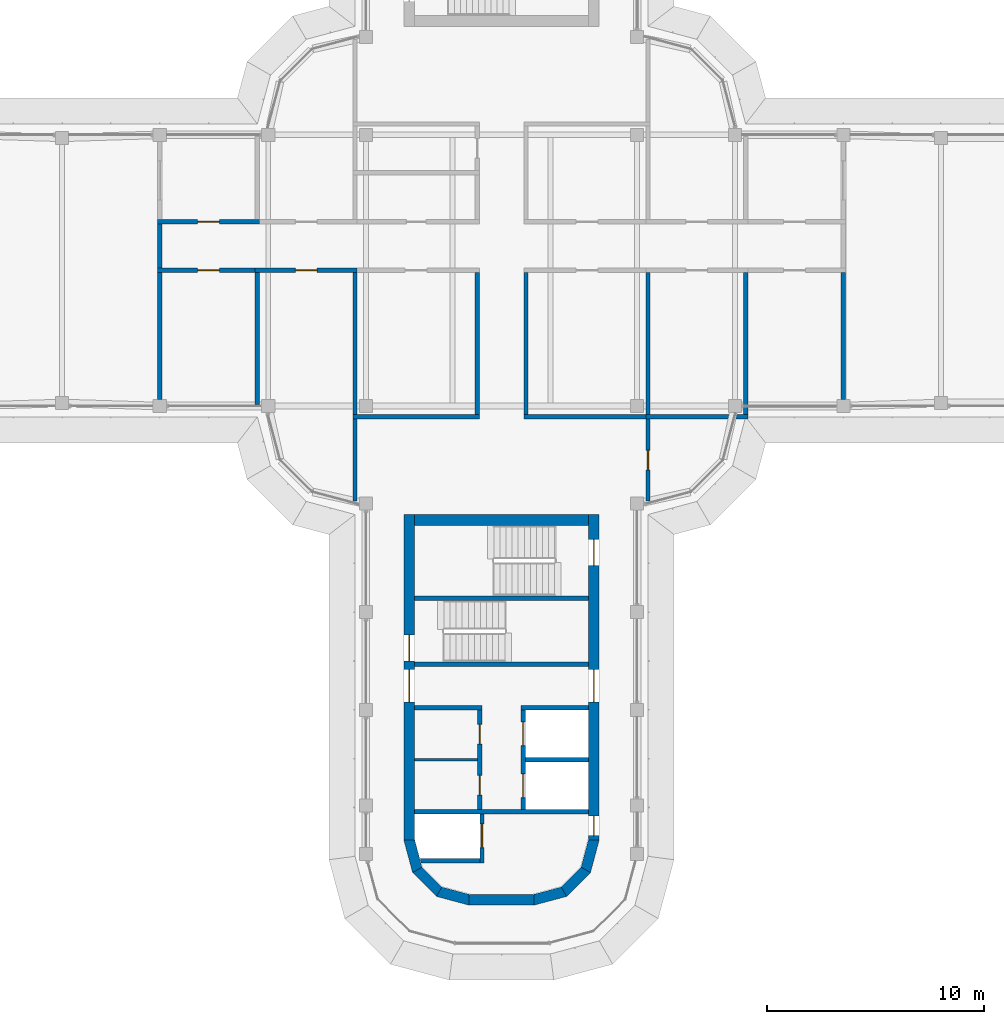
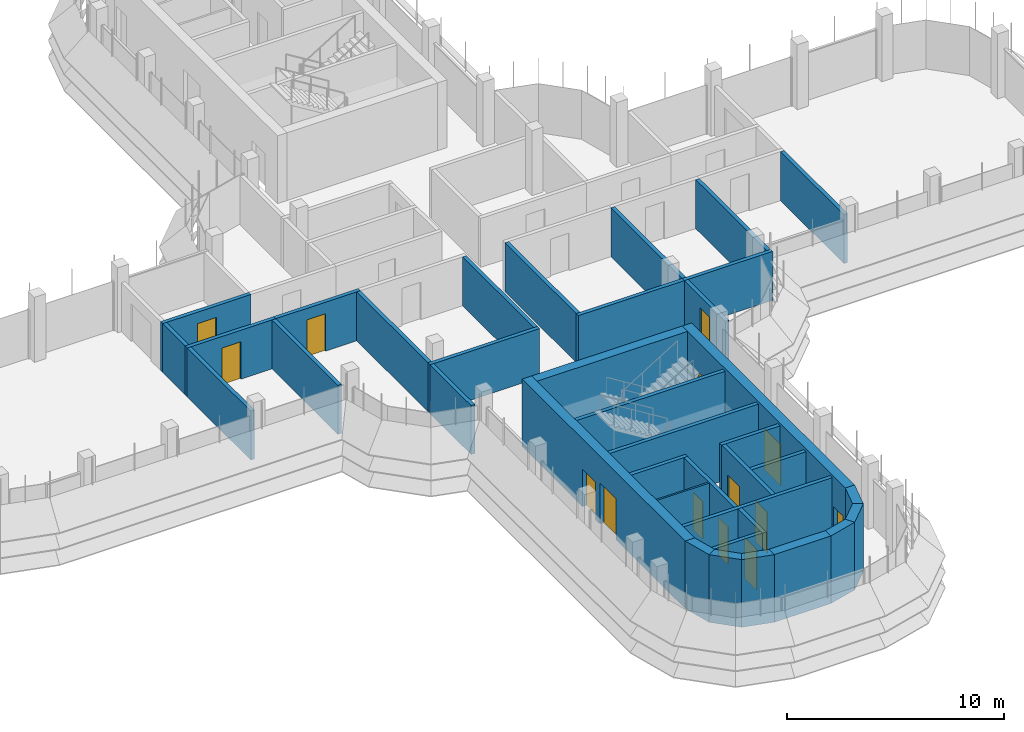
# One storey, part 13 of 19: 38 walls, 14 doors, 14 openings.
"""IFC4 building model written with IfcOpenShell, lengths in metres."""

from ifc_helpers import new_model, si_unit, direction, frame, frame_2d, origin, place, context, subcontext, project, spatial, polyline, rectangle, outline, extrude, material, layer, layer_set, type_object, element, fill, save


model = new_model("IFC4")

# Units and contexts
model_context = context("Model", 3, precision=1e-05, world=origin(), true_north=direction((0.0, 1.0)))
body_context = subcontext(model_context, "Body", "Model", "MODEL_VIEW")
ifc_project = project(units=[si_unit("LENGTHUNIT", "METRE"), si_unit("AREAUNIT", "SQUARE_METRE"), si_unit("VOLUMEUNIT", "CUBIC_METRE"), si_unit("PLANEANGLEUNIT", "RADIAN"), si_unit("MASSUNIT", "GRAM", prefix="KILO")], contexts=[model_context])

# Site, building, storey
site_placement = place(None, origin())
site = spatial("IfcSite", under=ifc_project, at=site_placement, CompositionType="ELEMENT")
building_placement = place(site_placement, origin())
building = spatial("IfcBuilding", under=site, at=building_placement, Name="Zarbagh Exchange Tower", CompositionType="ELEMENT")
storey_placement = place(building_placement, frame((0.0, 0.0, 261.199951171875)))
storey = spatial("IfcBuildingStorey", under=building, at=storey_placement, Name="L64", CompositionType="ELEMENT", Elevation=261.199951171875)

# Wall
ifc_material_1 = material(Name="Dense blockwork", Category="masonry")
ifc_layer_1 = layer(ifc_material_1, 0.10009765625)
ifc_layer_set_1 = layer_set([ifc_layer_1], Name="Core partition 100 mm blockwork")
wall_type_1 = type_object("IfcWallType", Name="Core partition 100 mm blockwork", PredefinedType="PARTITIONING", material=ifc_layer_set_1)
wall_1_placement = place(storey_placement, frame((-1.10009765625, -22.550048828125, 0.0), z_axis=(0.0, 0.0, 1.0), x_axis=(-1.0, 0.0, 0.0)))
element("IfcWall", 1, at=wall_1_placement, inside=storey, type_object=wall_type_1, Name="South core partition wall CUT-E-580", PredefinedType="PARTITIONING", context=body_context, shape_type="SweptSolid", body=[
    extrude(rectangle(XDim=2.89990234375, YDim=0.10009765625, at=frame_2d((1.449951171875, 0.0))), origin(), (0.0, 0.0, 1.0), 3.650146484375),
])

# Wall, opening, door
ifc_material_2 = material(Name="Fire-rated plasterboard partition")
ifc_layer_2 = layer(ifc_material_2, 0.199951171875)
ifc_layer_set_2 = layer_set([ifc_layer_2], Name="RATED PARTITION 200")
wall_type_2 = type_object("IfcWallType", Name="RATED PARTITION 200", PredefinedType="PARTITIONING", material=ifc_layer_set_2)
wall_2_placement = place(storey_placement, frame((-6.64990234375, 0.0, 0.0), z_axis=(0.0, 0.0, 1.0), x_axis=(-1.0, 0.0, 0.0)))
wall_2 = element("IfcWall", 2, at=wall_2_placement, inside=storey, type_object=wall_type_2, Name="Partition W-2708", PredefinedType="PARTITIONING", context=body_context, shape_type="SweptSolid", body=[
    extrude(rectangle(XDim=4.7001953125, YDim=0.199951171875, at=frame_2d((2.35009765625, 0.0))), origin(), (0.0, 0.0, 1.0), 2.75),
])
opening_1_placement = place(wall_2_placement, frame((1.85009765625, 0.0, 0.0)))
opening_1 = element("IfcOpeningElement", 3, at=opening_1_placement, cuts=wall_2, Name="Opening D-2713", PredefinedType="OPENING", context=body_context, shape_type="SweptSolid", body=[
    extrude(rectangle(XDim=1.0, YDim=2.10009765625, at=frame_2d((0.5, 1.050048828125))), frame((0.0, 0.10986328125, 0.0), z_axis=(0.0, -1.0, 0.0), x_axis=(1.0, 0.0, 0.0)), (0.0, 0.0, 1.0), 0.219970703125),
])
ifc_material_3 = material(Name="Steel door set", Category="steel")
door_type_1 = type_object("IfcDoorType", Name="FIRE DOOR 1000 X 2100 FD30S", OperationType="NOTDEFINED", PredefinedType="DOOR", material=ifc_material_3)
door_1_placement = place(opening_1_placement, origin())
door_1 = element("IfcDoor", 4, at=door_1_placement, inside=storey, type_object=door_type_1, Name="Door D-2713", OperationType="SINGLE_SWING_RIGHT", OverallHeight=2.10009765625, OverallWidth=1.0, PredefinedType="DOOR", context=body_context, shape_type="SweptSolid", body=[
    extrude(rectangle(XDim=1.0, YDim=2.10009765625, at=frame_2d((0.5, 1.050048828125))), frame((0.0, 0.02490234375, 0.0), z_axis=(0.0, -1.0, 0.0), x_axis=(1.0, 0.0, 0.0)), (0.0, 0.0, 1.0), 0.050048828125),
])
fill(opening_1, door_1)

wall_3_placement = place(storey_placement, frame((-15.85009765625, 2.25, 0.0), z_axis=(0.0, 0.0, 1.0), x_axis=(1.0, 0.0, 0.0)))
wall_3 = element("IfcWall", 5, at=wall_3_placement, inside=storey, type_object=wall_type_2, Name="Partition W-2712", PredefinedType="PARTITIONING", context=body_context, shape_type="SweptSolid", body=[
    extrude(rectangle(XDim=4.7001953125, YDim=0.199951171875, at=frame_2d((2.35009765625, 0.0))), origin(), (0.0, 0.0, 1.0), 2.75),
])
opening_2_placement = place(wall_3_placement, frame((1.85009765625, 0.0, 0.0)))
opening_2 = element("IfcOpeningElement", 6, at=opening_2_placement, cuts=wall_3, Name="Opening D-2715", PredefinedType="OPENING", context=body_context, shape_type="SweptSolid", body=[
    extrude(rectangle(XDim=1.0, YDim=2.10009765625, at=frame_2d((0.5, 1.050048828125))), frame((0.0, 0.10986328125, 0.0), z_axis=(0.0, -1.0, 0.0), x_axis=(1.0, 0.0, 0.0)), (0.0, 0.0, 1.0), 0.219970703125),
])
door_2_placement = place(opening_2_placement, origin())
door_2 = element("IfcDoor", 7, at=door_2_placement, inside=storey, type_object=door_type_1, Name="Door D-2715", OperationType="SINGLE_SWING_RIGHT", OverallHeight=2.10009765625, OverallWidth=1.0, PredefinedType="DOOR", context=body_context, shape_type="SweptSolid", body=[
    extrude(rectangle(XDim=1.0, YDim=2.10009765625, at=frame_2d((0.5, 1.050048828125))), frame((0.0, 0.02490234375, 0.0), z_axis=(0.0, -1.0, 0.0), x_axis=(1.0, 0.0, 0.0)), (0.0, 0.0, 1.0), 0.050048828125),
])
fill(opening_2, door_2)

wall_4_placement = place(storey_placement, frame((-11.14990234375, 0.0, 0.0), z_axis=(0.0, 0.0, 1.0), x_axis=(-1.0, 0.0, 0.0)))
wall_4 = element("IfcWall", 8, at=wall_4_placement, inside=storey, type_object=wall_type_2, Name="Partition W-2713", PredefinedType="PARTITIONING", context=body_context, shape_type="SweptSolid", body=[
    extrude(rectangle(XDim=4.7001953125, YDim=0.199951171875, at=frame_2d((2.35009765625, 0.0))), origin(), (0.0, 0.0, 1.0), 2.75),
])
opening_3_placement = place(wall_4_placement, frame((1.85009765625, 0.0, 0.0)))
opening_3 = element("IfcOpeningElement", 9, at=opening_3_placement, cuts=wall_4, Name="Opening D-2716", PredefinedType="OPENING", context=body_context, shape_type="SweptSolid", body=[
    extrude(rectangle(XDim=1.0, YDim=2.10009765625, at=frame_2d((0.5, 1.050048828125))), frame((0.0, 0.10986328125, 0.0), z_axis=(0.0, -1.0, 0.0), x_axis=(1.0, 0.0, 0.0)), (0.0, 0.0, 1.0), 0.219970703125),
])
door_3_placement = place(opening_3_placement, origin())
door_3 = element("IfcDoor", 10, at=door_3_placement, inside=storey, type_object=door_type_1, Name="Door D-2716", OperationType="SINGLE_SWING_RIGHT", OverallHeight=2.10009765625, OverallWidth=1.0, PredefinedType="DOOR", context=body_context, shape_type="SweptSolid", body=[
    extrude(rectangle(XDim=1.0, YDim=2.10009765625, at=frame_2d((0.5, 1.050048828125))), frame((0.0, 0.02490234375, 0.0), z_axis=(0.0, -1.0, 0.0), x_axis=(1.0, 0.0, 0.0)), (0.0, 0.0, 1.0), 0.050048828125),
])
fill(opening_3, door_3)

# Walls
wall_5_placement = place(storey_placement, frame((-15.75, 0.10009765625, 0.0), z_axis=(0.0, 0.0, 1.0), x_axis=(0.0, 1.0, 0.0)))
element("IfcWall", 11, at=wall_5_placement, inside=storey, type_object=wall_type_2, Name="Partition W-2714", PredefinedType="PARTITIONING", context=body_context, shape_type="SweptSolid", body=[
    extrude(rectangle(XDim=2.0498046875, YDim=0.199951171875, at=frame_2d((1.02490234375, 0.0))), origin(), (0.0, 0.0, 1.0), 2.75),
])
for number, where, z_axis, x_axis, name in (
    (12, (1.125, -6.64990234375, 0.0), (0.0, 0.0, 1.0), (0.0, 1.0, 0.0), "Partition W-2718"),
    (13, (-1.125, -6.64990234375, 0.0), (0.0, 0.0, 1.0), (0.0, 1.0, 0.0), "Partition W-2719"),
):
    element("IfcWall", number, at=place(storey_placement, frame(where, z_axis=z_axis, x_axis=x_axis)), inside=storey, type_object=wall_type_2, Name=name, PredefinedType="PARTITIONING", context=body_context, shape_type="SweptSolid", body=[
        extrude(rectangle(XDim=6.5498046875, YDim=0.199951171875, at=frame_2d((3.27490234375, 0.0))), origin(), (0.0, 0.0, 1.0), 2.75),
    ])
wall_6_placement = place(storey_placement, frame((1.02490234375, -6.75, 0.0), z_axis=(0.0, 0.0, 1.0), x_axis=(1.0, 0.0, 0.0)))
element("IfcWall", 14, at=wall_6_placement, inside=storey, type_object=wall_type_2, Name="Partition W-2724", PredefinedType="PARTITIONING", context=body_context, shape_type="SweptSolid", body=[
    extrude(rectangle(XDim=5.8251953125, YDim=0.199951171875, at=frame_2d((2.91259765625, 0.0))), origin(), (0.0, 0.0, 1.0), 2.75),
])

# Wall, opening, door
wall_7_placement = place(storey_placement, frame((6.75, -6.85009765625, 0.0), z_axis=(0.0, 0.0, 1.0), x_axis=(0.0, -1.0, 0.0)))
wall_7 = element("IfcWall", 15, at=wall_7_placement, inside=storey, type_object=wall_type_2, Name="Partition W-2725", PredefinedType="PARTITIONING", context=body_context, shape_type="SweptSolid", body=[
    extrude(rectangle(XDim=3.77978515625, YDim=0.199951171875, at=frame_2d((1.889892578125, 0.0))), origin(), (0.0, 0.0, 1.0), 2.75),
])
opening_4_placement = place(wall_7_placement, frame((1.43994140625, 0.0, 0.0)))
opening_4 = element("IfcOpeningElement", 16, at=opening_4_placement, cuts=wall_7, Name="Opening D-2711", PredefinedType="OPENING", context=body_context, shape_type="SweptSolid", body=[
    extrude(rectangle(XDim=0.89990234375, YDim=2.10009765625, at=frame_2d((0.449951171875, 1.050048828125))), frame((0.0, 0.10986328125, 0.0), z_axis=(0.0, -1.0, 0.0), x_axis=(1.0, 0.0, 0.0)), (0.0, 0.0, 1.0), 0.219970703125),
])
ifc_material_4 = material(Name="Timber door leaf", Category="wood")
door_type_2 = type_object("IfcDoorType", Name="DOOR 900 X 2100", OperationType="NOTDEFINED", PredefinedType="DOOR", material=ifc_material_4)
door_4_placement = place(opening_4_placement, origin())
door_4 = element("IfcDoor", 17, at=door_4_placement, inside=storey, type_object=door_type_2, Name="Door D-2711", OperationType="SINGLE_SWING_LEFT", OverallHeight=2.10009765625, OverallWidth=0.89990234375, PredefinedType="DOOR", context=body_context, shape_type="SweptSolid", body=[
    extrude(rectangle(XDim=0.89990234375, YDim=2.10009765625, at=frame_2d((0.449951171875, 1.050048828125))), frame((0.0, 0.02490234375, 0.0), z_axis=(0.0, -1.0, 0.0), x_axis=(1.0, 0.0, 0.0)), (0.0, 0.0, 1.0), 0.050048828125),
])
fill(opening_4, door_4)

# Walls
wall_8_placement = place(storey_placement, frame((-6.85009765625, -6.75, 0.0), z_axis=(0.0, 0.0, 1.0), x_axis=(1.0, 0.0, 0.0)))
element("IfcWall", 18, at=wall_8_placement, inside=storey, type_object=wall_type_2, Name="Partition W-2726", PredefinedType="PARTITIONING", context=body_context, shape_type="SweptSolid", body=[
    extrude(rectangle(XDim=5.8251953125, YDim=0.199951171875, at=frame_2d((2.91259765625, 0.0))), origin(), (0.0, 0.0, 1.0), 2.75),
])
wall_9_placement = place(storey_placement, frame((-6.75, -10.6298828125, 0.0), z_axis=(0.0, 0.0, 1.0), x_axis=(0.0, 1.0, 0.0)))
element("IfcWall", 19, at=wall_9_placement, inside=storey, type_object=wall_type_2, Name="Partition W-2727", PredefinedType="PARTITIONING", context=body_context, shape_type="SweptSolid", body=[
    extrude(rectangle(XDim=3.77978515625, YDim=0.199951171875, at=frame_2d((1.889892578125, 0.0))), origin(), (0.0, 0.0, 1.0), 2.75),
])
wall_10_placement = place(storey_placement, frame((6.75, -6.64990234375, 0.0), z_axis=(0.0, 0.0, 1.0), x_axis=(0.0, 1.0, 0.0)))
element("IfcWall", 20, at=wall_10_placement, inside=storey, type_object=wall_type_2, Name="Partition W-2734", PredefinedType="PARTITIONING", context=body_context, shape_type="SweptSolid", body=[
    extrude(rectangle(XDim=6.5498046875, YDim=0.199951171875, at=frame_2d((3.27490234375, 0.0))), origin(), (0.0, 0.0, 1.0), 2.75),
])
wall_11_placement = place(storey_placement, frame((6.64990234375, -6.75, 0.0), z_axis=(0.0, 0.0, 1.0), x_axis=(1.0, 0.0, 0.0)))
element("IfcWall", 21, at=wall_11_placement, inside=storey, type_object=wall_type_2, Name="Partition W-2735", PredefinedType="PARTITIONING", context=body_context, shape_type="SweptSolid", body=[
    extrude(rectangle(XDim=4.7001953125, YDim=0.199951171875, at=frame_2d((2.35009765625, 0.0))), origin(), (0.0, 0.0, 1.0), 2.75),
])
for number, where, z_axis, x_axis, name in (
    (22, (11.25, -6.64990234375, 0.0), (0.0, 0.0, 1.0), (0.0, 1.0, 0.0), "Partition W-2736"),
    (23, (-6.75, -6.64990234375, 0.0), (0.0, 0.0, 1.0), (0.0, 1.0, 0.0), "Partition W-2737"),
):
    element("IfcWall", number, at=place(storey_placement, frame(where, z_axis=z_axis, x_axis=x_axis)), inside=storey, type_object=wall_type_2, Name=name, PredefinedType="PARTITIONING", context=body_context, shape_type="SweptSolid", body=[
        extrude(rectangle(XDim=6.5498046875, YDim=0.199951171875, at=frame_2d((3.27490234375, 0.0))), origin(), (0.0, 0.0, 1.0), 2.75),
    ])
wall_12_placement = place(storey_placement, frame((-11.25, -6.169921875, 0.0), z_axis=(0.0, 0.0, 1.0), x_axis=(0.0, 1.0, 0.0)))
element("IfcWall", 24, at=wall_12_placement, inside=storey, type_object=wall_type_2, Name="Partition W-2738", PredefinedType="PARTITIONING", context=body_context, shape_type="SweptSolid", body=[
    extrude(rectangle(XDim=6.06982421875, YDim=0.199951171875, at=frame_2d((3.034912109375, 0.0))), origin(), (0.0, 0.0, 1.0), 2.75),
])
for number, where, z_axis, x_axis, name in (
    (25, (15.75, -5.949951171875, 0.0), (0.0, 0.0, 1.0), (0.0, 1.0, 0.0), "Partition W-2740"),
    (26, (-15.75, -5.949951171875, 0.0), (0.0, 0.0, 1.0), (0.0, 1.0, 0.0), "Partition W-2742"),
):
    element("IfcWall", number, at=place(storey_placement, frame(where, z_axis=z_axis, x_axis=x_axis)), inside=storey, type_object=wall_type_2, Name=name, PredefinedType="PARTITIONING", context=body_context, shape_type="SweptSolid", body=[
        extrude(rectangle(XDim=5.849853515625, YDim=0.199951171875, at=frame_2d((2.9248046875, 0.0))), origin(), (0.0, 0.0, 1.0), 2.75),
    ])
ifc_material_5 = material(Name="Concrete C40/50", Category="concrete")
ifc_layer_3 = layer(ifc_material_5, 0.5)
ifc_layer_set_3 = layer_set([ifc_layer_3], Name="RC core corner wall 500 C40/50")
wall_type_3 = type_object("IfcWallType", Name="RC core corner wall 500 C40/50", PredefinedType="SHEAR", material=ifc_layer_set_3)
wall_13_placement = place(storey_placement, origin())
element("IfcWall", 27, at=wall_13_placement, inside=storey, type_object=wall_type_3, Name="CW10 core S corner W", PredefinedType="SHEAR", context=body_context, shape_type="SweptSolid", body=[
    extrude(outline(polyline([(-4.5, -26.25), (-4.09814453125, -27.75), (-3.6650390625, -27.5), (-4.0, -26.25), (-4.5, -26.25)])), origin(), (0.0, 0.0, 1.0), 3.800048828125),
])
wall_14_placement = place(storey_placement, origin())
element("IfcWall", 28, at=wall_14_placement, inside=storey, type_object=wall_type_3, Name="CW10 core S corner W", PredefinedType="SHEAR", context=body_context, shape_type="SweptSolid", body=[
    extrude(outline(polyline([(-4.09814453125, -27.75), (-3.0, -28.84814453125), (-2.75, -28.4150390625), (-3.6650390625, -27.5), (-4.09814453125, -27.75)])), origin(), (0.0, 0.0, 1.0), 3.800048828125),
])
wall_15_placement = place(storey_placement, origin())
element("IfcWall", 29, at=wall_15_placement, inside=storey, type_object=wall_type_3, Name="CW10 core S corner W", PredefinedType="SHEAR", context=body_context, shape_type="SweptSolid", body=[
    extrude(outline(polyline([(-3.0, -28.84814453125), (-1.5, -29.25), (-1.5, -28.75), (-2.75, -28.4150390625), (-3.0, -28.84814453125)])), origin(), (0.0, 0.0, 1.0), 3.800048828125),
])
wall_16_placement = place(storey_placement, origin())
element("IfcWall", 30, at=wall_16_placement, inside=storey, type_object=wall_type_3, Name="CW10 core S corner E", PredefinedType="SHEAR", context=body_context, shape_type="SweptSolid", body=[
    extrude(outline(polyline([(4.5, -26.25), (4.09814453125, -27.75), (3.6650390625, -27.5), (4.0, -26.25), (4.5, -26.25)])), origin(), (0.0, 0.0, 1.0), 3.800048828125),
])
wall_17_placement = place(storey_placement, origin())
element("IfcWall", 31, at=wall_17_placement, inside=storey, type_object=wall_type_3, Name="CW10 core S corner E", PredefinedType="SHEAR", context=body_context, shape_type="SweptSolid", body=[
    extrude(outline(polyline([(4.09814453125, -27.75), (3.0, -28.84814453125), (2.75, -28.4150390625), (3.6650390625, -27.5), (4.09814453125, -27.75)])), origin(), (0.0, 0.0, 1.0), 3.800048828125),
])
wall_18_placement = place(storey_placement, origin())
element("IfcWall", 32, at=wall_18_placement, inside=storey, type_object=wall_type_3, Name="CW10 core S corner E", PredefinedType="SHEAR", context=body_context, shape_type="SweptSolid", body=[
    extrude(outline(polyline([(3.0, -28.84814453125), (1.5, -29.25), (1.5, -28.75), (2.75, -28.4150390625), (3.0, -28.84814453125)])), origin(), (0.0, 0.0, 1.0), 3.800048828125),
])

# Wall, openings, doors
ifc_layer_4 = layer(ifc_material_5, 0.5)
ifc_layer_set_4 = layer_set([ifc_layer_4], Name="RC core wall 500 C40/50")
wall_type_4 = type_object("IfcWallType", Name="RC core wall 500 C40/50", PredefinedType="SHEAR", material=ifc_layer_set_4)
wall_19_placement = place(storey_placement, frame((-4.25, -11.25, 0.0), z_axis=(0.0, 0.0, 1.0), x_axis=(0.0, -1.0, 0.0)))
wall_19 = element("IfcWall", 33, at=wall_19_placement, inside=storey, type_object=wall_type_4, Name="CW9 core S W", PredefinedType="SHEAR", context=body_context, shape_type="SweptSolid", body=[
    extrude(rectangle(XDim=15.0, YDim=0.5, at=frame_2d((7.5, 0.0))), origin(), (0.0, 0.0, 1.0), 3.800048828125),
])
opening_5_placement = place(wall_19_placement, frame((7.14990234375, 0.0, 0.0)))
opening_5 = element("IfcOpeningElement", 34, at=opening_5_placement, cuts=wall_19, Name="Opening CD1-1500", PredefinedType="OPENING", context=body_context, shape_type="SweptSolid", body=[
    extrude(rectangle(XDim=1.5, YDim=2.300048828125, at=frame_2d((0.75, 1.14990234375))), frame((0.0, 0.260009765625, 0.0), z_axis=(0.0, -1.0, 0.0), x_axis=(1.0, 0.0, 0.0)), (0.0, 0.0, 1.0), 0.52001953125),
])
opening_6_placement = place(wall_19_placement, frame((5.550048828125, 0.0, 0.0)))
opening_6 = element("IfcOpeningElement", 35, at=opening_6_placement, cuts=wall_19, Name="Opening SD1-1200", PredefinedType="OPENING", context=body_context, shape_type="SweptSolid", body=[
    extrude(rectangle(XDim=1.199951171875, YDim=2.10009765625, at=frame_2d((0.60009765625, 1.050048828125))), frame((0.0, 0.260009765625, 0.0), z_axis=(0.0, -1.0, 0.0), x_axis=(1.0, 0.0, 0.0)), (0.0, 0.0, 1.0), 0.52001953125),
])
ifc_material_6 = material(Name="Steel", Category="steel")
door_type_3 = type_object("IfcDoorType", Name="Exit stair door 1200 x 2100", OperationType="NOTDEFINED", PredefinedType="DOOR", material=ifc_material_6)
door_5_placement = place(opening_6_placement, origin())
door_5 = element("IfcDoor", 36, at=door_5_placement, inside=storey, type_object=door_type_3, Name="South core stair door ST1", OperationType="SINGLE_SWING_LEFT", OverallHeight=2.10009765625, OverallWidth=1.199951171875, PredefinedType="DOOR", context=body_context, shape_type="SweptSolid", body=[
    extrude(rectangle(XDim=1.199951171875, YDim=2.10009765625, at=frame_2d((0.60009765625, 1.050048828125))), frame((0.0, 0.02490234375, 0.0), z_axis=(0.0, -1.0, 0.0), x_axis=(1.0, 0.0, 0.0)), (0.0, 0.0, 1.0), 0.050048828125),
])
fill(opening_6, door_5)
door_type_4 = type_object("IfcDoorType", Name="Lift lobby double door 1500 x 2300", OperationType="NOTDEFINED", PredefinedType="DOOR", material=ifc_material_6)
door_6_placement = place(opening_5_placement, origin())
door_6 = element("IfcDoor", 37, at=door_6_placement, inside=storey, type_object=door_type_4, Name="South core lift lobby door LOBBY-E", OperationType="DOUBLE_DOOR_SINGLE_SWING", OverallHeight=2.300048828125, OverallWidth=1.5, PredefinedType="DOOR", context=body_context, shape_type="SweptSolid", body=[
    extrude(rectangle(XDim=1.5, YDim=2.300048828125, at=frame_2d((0.75, 1.14990234375))), frame((0.0, 0.02490234375, 0.0), z_axis=(0.0, -1.0, 0.0), x_axis=(1.0, 0.0, 0.0)), (0.0, 0.0, 1.0), 0.050048828125),
])
fill(opening_5, door_6)

wall_20_placement = place(storey_placement, frame((4.25, -11.25, 0.0), z_axis=(0.0, 0.0, 1.0), x_axis=(0.0, -1.0, 0.0)))
wall_20 = element("IfcWall", 38, at=wall_20_placement, inside=storey, type_object=wall_type_4, Name="CW9 core S E", PredefinedType="SHEAR", context=body_context, shape_type="SweptSolid", body=[
    extrude(rectangle(XDim=15.0, YDim=0.5, at=frame_2d((7.5, 0.0))), origin(), (0.0, 0.0, 1.0), 3.800048828125),
])
opening_7_placement = place(wall_20_placement, frame((7.14990234375, 0.0, 0.0)))
opening_7 = element("IfcOpeningElement", 39, at=opening_7_placement, cuts=wall_20, Name="Opening CD1-1500", PredefinedType="OPENING", context=body_context, shape_type="SweptSolid", body=[
    extrude(rectangle(XDim=1.5, YDim=2.300048828125, at=frame_2d((0.75, 1.14990234375))), frame((0.0, 0.260009765625, 0.0), z_axis=(0.0, -1.0, 0.0), x_axis=(1.0, 0.0, 0.0)), (0.0, 0.0, 1.0), 0.52001953125),
])
opening_8_placement = place(wall_20_placement, frame((13.89990234375, 0.0, 0.0)))
opening_8 = element("IfcOpeningElement", 40, at=opening_8_placement, cuts=wall_20, Name="Opening CD2-900", PredefinedType="OPENING", context=body_context, shape_type="SweptSolid", body=[
    extrude(rectangle(XDim=0.89990234375, YDim=2.10009765625, at=frame_2d((0.449951171875, 1.050048828125))), frame((0.0, 0.260009765625, 0.0), z_axis=(0.0, -1.0, 0.0), x_axis=(1.0, 0.0, 0.0)), (0.0, 0.0, 1.0), 0.52001953125),
])
opening_9_placement = place(wall_20_placement, frame((1.14990234375, 0.0, 0.0)))
opening_9 = element("IfcOpeningElement", 41, at=opening_9_placement, cuts=wall_20, Name="Opening SD1-1200", PredefinedType="OPENING", context=body_context, shape_type="SweptSolid", body=[
    extrude(rectangle(XDim=1.199951171875, YDim=2.10009765625, at=frame_2d((0.60009765625, 1.050048828125))), frame((0.0, 0.260009765625, 0.0), z_axis=(0.0, -1.0, 0.0), x_axis=(1.0, 0.0, 0.0)), (0.0, 0.0, 1.0), 0.52001953125),
])
door_7_placement = place(opening_9_placement, origin())
door_7 = element("IfcDoor", 42, at=door_7_placement, inside=storey, type_object=door_type_3, Name="South core stair door ST2", OperationType="SINGLE_SWING_RIGHT", OverallHeight=2.10009765625, OverallWidth=1.199951171875, PredefinedType="DOOR", context=body_context, shape_type="SweptSolid", body=[
    extrude(rectangle(XDim=1.199951171875, YDim=2.10009765625, at=frame_2d((0.60009765625, 1.050048828125))), frame((0.0, 0.02490234375, 0.0), z_axis=(0.0, -1.0, 0.0), x_axis=(1.0, 0.0, 0.0)), (0.0, 0.0, 1.0), 0.050048828125),
])
fill(opening_9, door_7)
door_type_5 = type_object("IfcDoorType", Name="Firefighting lobby door 900 x 2100", OperationType="NOTDEFINED", PredefinedType="DOOR", material=ifc_material_6)
door_8_placement = place(opening_8_placement, origin())
door_8 = element("IfcDoor", 43, at=door_8_placement, inside=storey, type_object=door_type_5, Name="South core firefighting lobby door FF-W", OperationType="SINGLE_SWING_RIGHT", OverallHeight=2.10009765625, OverallWidth=0.89990234375, PredefinedType="DOOR", context=body_context, shape_type="SweptSolid", body=[
    extrude(rectangle(XDim=0.89990234375, YDim=2.10009765625, at=frame_2d((0.449951171875, 1.050048828125))), frame((0.0, 0.02490234375, 0.0), z_axis=(0.0, -1.0, 0.0), x_axis=(1.0, 0.0, 0.0)), (0.0, 0.0, 1.0), 0.050048828125),
])
fill(opening_8, door_8)
door_9_placement = place(opening_7_placement, origin())
door_9 = element("IfcDoor", 44, at=door_9_placement, inside=storey, type_object=door_type_4, Name="South core lift lobby door LOBBY-W", OperationType="DOUBLE_DOOR_SINGLE_SWING", OverallHeight=2.300048828125, OverallWidth=1.5, PredefinedType="DOOR", context=body_context, shape_type="SweptSolid", body=[
    extrude(rectangle(XDim=1.5, YDim=2.300048828125, at=frame_2d((0.75, 1.14990234375))), frame((0.0, 0.02490234375, 0.0), z_axis=(0.0, -1.0, 0.0), x_axis=(1.0, 0.0, 0.0)), (0.0, 0.0, 1.0), 0.050048828125),
])
fill(opening_7, door_9)

# Walls
wall_21_placement = place(storey_placement, frame((-4.0, -11.5, 0.0), z_axis=(0.0, 0.0, 1.0), x_axis=(1.0, 0.0, 0.0)))
element("IfcWall", 45, at=wall_21_placement, inside=storey, type_object=wall_type_4, Name="CW9 core S inner end", PredefinedType="SHEAR", context=body_context, shape_type="SweptSolid", body=[
    extrude(rectangle(XDim=8.0, YDim=0.5, at=frame_2d((4.0, 0.0))), origin(), (0.0, 0.0, 1.0), 3.800048828125),
])
wall_22_placement = place(storey_placement, frame((-1.5, -29.0, 0.0), z_axis=(0.0, 0.0, 1.0), x_axis=(1.0, 0.0, 0.0)))
element("IfcWall", 46, at=wall_22_placement, inside=storey, type_object=wall_type_4, Name="CW9 core S outer end", PredefinedType="SHEAR", context=body_context, shape_type="SweptSolid", body=[
    extrude(rectangle(XDim=3.0, YDim=0.5, at=frame_2d((1.5, 0.0))), origin(), (0.0, 0.0, 1.0), 3.800048828125),
])
ifc_layer_5 = layer(ifc_material_1, 0.199951171875)
ifc_layer_set_5 = layer_set([ifc_layer_5], Name="Shaft wall 200 mm blockwork")
wall_type_5 = type_object("IfcWallType", Name="Shaft wall 200 mm blockwork", PredefinedType="PARTITIONING", material=ifc_layer_set_5)
wall_23_placement = place(storey_placement, frame((4.0, -20.14990234375, 0.0), z_axis=(0.0, 0.0, 1.0), x_axis=(-1.0, 0.0, 0.0)))
element("IfcWall", 47, at=wall_23_placement, inside=storey, type_object=wall_type_5, Name="South core shaft wall AB-W", PredefinedType="PARTITIONING", context=body_context, shape_type="SweptSolid", body=[
    extrude(rectangle(XDim=3.10009765625, YDim=0.199951171875, at=frame_2d((1.550048828125, 0.0))), origin(), (0.0, 0.0, 1.0), 3.650146484375),
])

# Wall, openings, doors
wall_24_placement = place(storey_placement, frame((1.0, -24.85009765625, 0.0), z_axis=(0.0, 0.0, 1.0), x_axis=(0.0, 1.0, 0.0)))
wall_24 = element("IfcWall", 48, at=wall_24_placement, inside=storey, type_object=wall_type_5, Name="South core shaft wall LW-W", PredefinedType="PARTITIONING", context=body_context, shape_type="SweptSolid", body=[
    extrude(rectangle(XDim=4.60009765625, YDim=0.199951171875, at=frame_2d((2.300048828125, 0.0))), origin(), (0.0, 0.0, 1.0), 3.650146484375),
])
opening_10_placement = place(wall_24_placement, frame((0.550048828125, 0.0, 0.0)))
opening_10 = element("IfcOpeningElement", 49, at=opening_10_placement, cuts=wall_24, Name="Opening LD-1100", PredefinedType="OPENING", context=body_context, shape_type="SweptSolid", body=[
    extrude(rectangle(XDim=1.10009765625, YDim=2.300048828125, at=frame_2d((0.550048828125, 1.14990234375))), frame((0.0, 0.10986328125, 0.0), z_axis=(0.0, -1.0, 0.0), x_axis=(1.0, 0.0, 0.0)), (0.0, 0.0, 1.0), 0.219970703125),
])
opening_11_placement = place(wall_24_placement, frame((2.949951171875, 0.0, 0.0)))
opening_11 = element("IfcOpeningElement", 50, at=opening_11_placement, cuts=wall_24, Name="Opening LD-1100", PredefinedType="OPENING", context=body_context, shape_type="SweptSolid", body=[
    extrude(rectangle(XDim=1.10009765625, YDim=2.300048828125, at=frame_2d((0.550048828125, 1.14990234375))), frame((0.0, 0.10986328125, 0.0), z_axis=(0.0, -1.0, 0.0), x_axis=(1.0, 0.0, 0.0)), (0.0, 0.0, 1.0), 0.219970703125),
])
ifc_material_7 = material(Name="Stainless steel", Category="steel")
door_type_6 = type_object("IfcDoorType", Name="Lift landing door 1100 x 2300", OperationType="NOTDEFINED", PredefinedType="DOOR", material=ifc_material_7)
door_10_placement = place(opening_10_placement, origin())
door_10 = element("IfcDoor", 51, at=door_10_placement, inside=storey, type_object=door_type_6, Name="South core lift landing door LD-P-S1", OperationType="DOUBLE_DOOR_SLIDING", OverallHeight=2.300048828125, OverallWidth=1.10009765625, PredefinedType="DOOR", context=body_context, shape_type="SweptSolid", body=[
    extrude(rectangle(XDim=1.10009765625, YDim=2.300048828125, at=frame_2d((0.550048828125, 1.14990234375))), frame((0.0, 0.02490234375, 0.0), z_axis=(0.0, -1.0, 0.0), x_axis=(1.0, 0.0, 0.0)), (0.0, 0.0, 1.0), 0.050048828125),
])
fill(opening_10, door_10)
door_11_placement = place(opening_11_placement, origin())
door_11 = element("IfcDoor", 52, at=door_11_placement, inside=storey, type_object=door_type_6, Name="South core lift landing door LD-P-S2", OperationType="DOUBLE_DOOR_SLIDING", OverallHeight=2.300048828125, OverallWidth=1.10009765625, PredefinedType="DOOR", context=body_context, shape_type="SweptSolid", body=[
    extrude(rectangle(XDim=1.10009765625, YDim=2.300048828125, at=frame_2d((0.550048828125, 1.14990234375))), frame((0.0, 0.02490234375, 0.0), z_axis=(0.0, -1.0, 0.0), x_axis=(1.0, 0.0, 0.0)), (0.0, 0.0, 1.0), 0.050048828125),
])
fill(opening_11, door_11)

# Wall
wall_25_placement = place(storey_placement, frame((-0.89990234375, -20.14990234375, 0.0), z_axis=(0.0, 0.0, 1.0), x_axis=(-1.0, 0.0, 0.0)))
element("IfcWall", 53, at=wall_25_placement, inside=storey, type_object=wall_type_5, Name="South core shaft wall AB-E", PredefinedType="PARTITIONING", context=body_context, shape_type="SweptSolid", body=[
    extrude(rectangle(XDim=3.10009765625, YDim=0.199951171875, at=frame_2d((1.550048828125, 0.0))), origin(), (0.0, 0.0, 1.0), 3.650146484375),
])

# Wall, openings, doors
wall_26_placement = place(storey_placement, frame((-1.0, -24.85009765625, 0.0), z_axis=(0.0, 0.0, 1.0), x_axis=(0.0, 1.0, 0.0)))
wall_26 = element("IfcWall", 54, at=wall_26_placement, inside=storey, type_object=wall_type_5, Name="South core shaft wall LW-E", PredefinedType="PARTITIONING", context=body_context, shape_type="SweptSolid", body=[
    extrude(rectangle(XDim=4.60009765625, YDim=0.199951171875, at=frame_2d((2.300048828125, 0.0))), origin(), (0.0, 0.0, 1.0), 3.650146484375),
])
opening_12_placement = place(wall_26_placement, frame((0.675048828125, 0.0, 0.0)))
opening_12 = element("IfcOpeningElement", 55, at=opening_12_placement, cuts=wall_26, Name="Opening CD3-900", PredefinedType="OPENING", context=body_context, shape_type="SweptSolid", body=[
    extrude(rectangle(XDim=0.89990234375, YDim=2.10009765625, at=frame_2d((0.449951171875, 1.050048828125))), frame((0.0, 0.10986328125, 0.0), z_axis=(0.0, -1.0, 0.0), x_axis=(1.0, 0.0, 0.0)), (0.0, 0.0, 1.0), 0.219970703125),
])
opening_13_placement = place(wall_26_placement, frame((3.02490234375, 0.0, 0.0)))
opening_13 = element("IfcOpeningElement", 56, at=opening_13_placement, cuts=wall_26, Name="Opening CD3-900", PredefinedType="OPENING", context=body_context, shape_type="SweptSolid", body=[
    extrude(rectangle(XDim=0.89990234375, YDim=2.10009765625, at=frame_2d((0.449951171875, 1.050048828125))), frame((0.0, 0.10986328125, 0.0), z_axis=(0.0, -1.0, 0.0), x_axis=(1.0, 0.0, 0.0)), (0.0, 0.0, 1.0), 0.219970703125),
])
door_type_7 = type_object("IfcDoorType", Name="Core room door 900 x 2100", OperationType="NOTDEFINED", PredefinedType="DOOR", material=ifc_material_6)
door_12_placement = place(opening_12_placement, origin())
door_12 = element("IfcDoor", 57, at=door_12_placement, inside=storey, type_object=door_type_7, Name="South core Staff WC door RD-E-0", OperationType="SINGLE_SWING_RIGHT", OverallHeight=2.10009765625, OverallWidth=0.89990234375, PredefinedType="DOOR", context=body_context, shape_type="SweptSolid", body=[
    extrude(rectangle(XDim=0.89990234375, YDim=2.10009765625, at=frame_2d((0.449951171875, 1.050048828125))), frame((0.0, 0.02490234375, 0.0), z_axis=(0.0, -1.0, 0.0), x_axis=(1.0, 0.0, 0.0)), (0.0, 0.0, 1.0), 0.050048828125),
])
fill(opening_12, door_12)
door_13_placement = place(opening_13_placement, origin())
door_13 = element("IfcDoor", 58, at=door_13_placement, inside=storey, type_object=door_type_7, Name="South core Accessible WC door RD-E-1", OperationType="SINGLE_SWING_RIGHT", OverallHeight=2.10009765625, OverallWidth=0.89990234375, PredefinedType="DOOR", context=body_context, shape_type="SweptSolid", body=[
    extrude(rectangle(XDim=0.89990234375, YDim=2.10009765625, at=frame_2d((0.449951171875, 1.050048828125))), frame((0.0, 0.02490234375, 0.0), z_axis=(0.0, -1.0, 0.0), x_axis=(1.0, 0.0, 0.0)), (0.0, 0.0, 1.0), 0.050048828125),
])
fill(opening_13, door_13)

# Walls
wall_27_placement = place(storey_placement, frame((4.0, -22.550048828125, 0.0), z_axis=(0.0, 0.0, 1.0), x_axis=(-1.0, 0.0, 0.0)))
element("IfcWall", 59, at=wall_27_placement, inside=storey, type_object=wall_type_5, Name="South core shaft wall TR-W", PredefinedType="PARTITIONING", context=body_context, shape_type="SweptSolid", body=[
    extrude(rectangle(XDim=2.89990234375, YDim=0.199951171875, at=frame_2d((1.449951171875, 0.0))), origin(), (0.0, 0.0, 1.0), 3.650146484375),
])
ifc_layer_6 = layer(ifc_material_5, 0.199951171875)
ifc_layer_set_6 = layer_set([ifc_layer_6], Name="Stair enclosure wall 200 mm RC C40/50")
wall_type_6 = type_object("IfcWallType", Name="Stair enclosure wall 200 mm RC C40/50", PredefinedType="SHEAR", material=ifc_layer_set_6)
wall_28_placement = place(storey_placement, frame((4.0, -24.949951171875, 0.0), z_axis=(0.0, 0.0, 1.0), x_axis=(-1.0, 0.0, 0.0)))
element("IfcWall", 60, at=wall_28_placement, inside=storey, type_object=wall_type_6, Name="South core lift shaft wall FFA", PredefinedType="SHEAR", context=body_context, shape_type="SweptSolid", body=[
    extrude(rectangle(XDim=8.0, YDim=0.199951171875, at=frame_2d((4.0, 0.0))), origin(), (0.0, 0.0, 1.0), 3.650146484375),
])

# Wall, opening, door
wall_29_placement = place(storey_placement, frame((-0.89990234375, -27.300048828125, 0.0), z_axis=(0.0, 0.0, 1.0), x_axis=(0.0, 1.0, 0.0)))
wall_29 = element("IfcWall", 61, at=wall_29_placement, inside=storey, type_object=wall_type_6, Name="South core lift shaft wall FFL", PredefinedType="SHEAR", context=body_context, shape_type="SweptSolid", body=[
    extrude(rectangle(XDim=2.25, YDim=0.199951171875, at=frame_2d((1.125, 0.0))), origin(), (0.0, 0.0, 1.0), 3.650146484375),
])
opening_14_placement = place(wall_29_placement, frame((0.699951171875, 0.0, 0.0)))
opening_14 = element("IfcOpeningElement", 62, at=opening_14_placement, cuts=wall_29, Name="Opening LD-1100", PredefinedType="OPENING", context=body_context, shape_type="SweptSolid", body=[
    extrude(rectangle(XDim=1.10009765625, YDim=2.300048828125, at=frame_2d((0.550048828125, 1.14990234375))), frame((0.0, 0.10986328125, 0.0), z_axis=(0.0, -1.0, 0.0), x_axis=(1.0, 0.0, 0.0)), (0.0, 0.0, 1.0), 0.219970703125),
])
door_14_placement = place(opening_14_placement, origin())
door_14 = element("IfcDoor", 63, at=door_14_placement, inside=storey, type_object=door_type_6, Name="South core lift landing door LD-F", OperationType="DOUBLE_DOOR_SLIDING", OverallHeight=2.300048828125, OverallWidth=1.10009765625, PredefinedType="DOOR", context=body_context, shape_type="SweptSolid", body=[
    extrude(rectangle(XDim=1.10009765625, YDim=2.300048828125, at=frame_2d((0.550048828125, 1.14990234375))), frame((0.0, 0.02490234375, 0.0), z_axis=(0.0, -1.0, 0.0), x_axis=(1.0, 0.0, 0.0)), (0.0, 0.0, 1.0), 0.050048828125),
])
fill(opening_14, door_14)

# Walls
wall_30_placement = place(storey_placement, origin())
element("IfcWall", 64, at=wall_30_placement, inside=storey, type_object=wall_type_6, Name="South core lift shaft wall FFX", PredefinedType="SHEAR", context=body_context, shape_type="SweptSolid", body=[
    extrude(outline(polyline([(-1.0, -27.10009765625), (-3.754638671875, -27.10009765625), (-3.700927734375, -27.300048828125), (-1.0, -27.300048828125), (-1.0, -27.10009765625)])), origin(), (0.0, 0.0, 1.0), 3.650146484375),
])
for number, where, z_axis, x_axis, name in (
    (65, (4.0, -18.14990234375, 0.0), (0.0, 0.0, 1.0), (-1.0, 0.0, 0.0), "South core stair wall BS"),
    (66, (4.0, -15.10009765625, 0.0), (0.0, 0.0, 1.0), (-1.0, 0.0, 0.0), "South core stair wall ST12"),
):
    element("IfcWall", number, at=place(storey_placement, frame(where, z_axis=z_axis, x_axis=x_axis)), inside=storey, type_object=wall_type_6, Name=name, PredefinedType="SHEAR", context=body_context, shape_type="SweptSolid", body=[
        extrude(rectangle(XDim=8.0, YDim=0.199951171875, at=frame_2d((4.0, 0.0))), origin(), (0.0, 0.0, 1.0), 3.650146484375),
    ])

save(model, "model.ifc")
